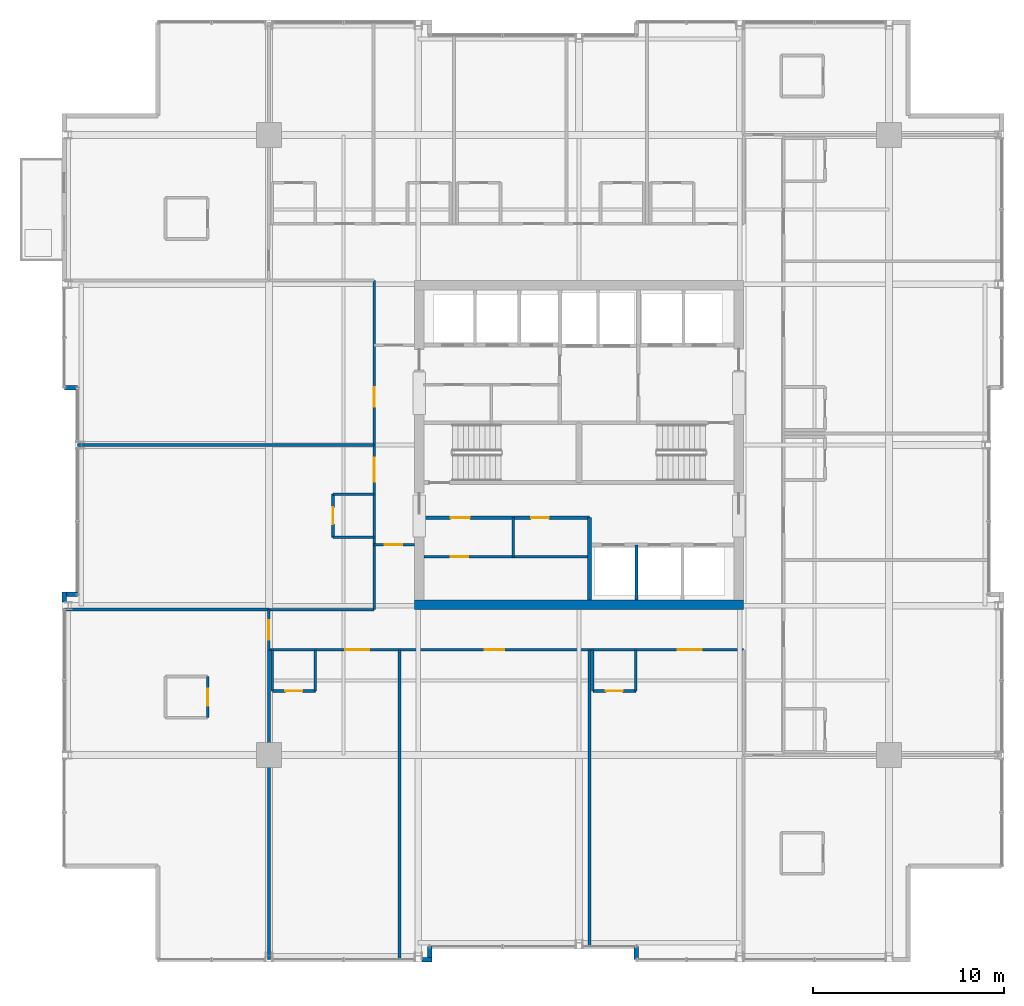
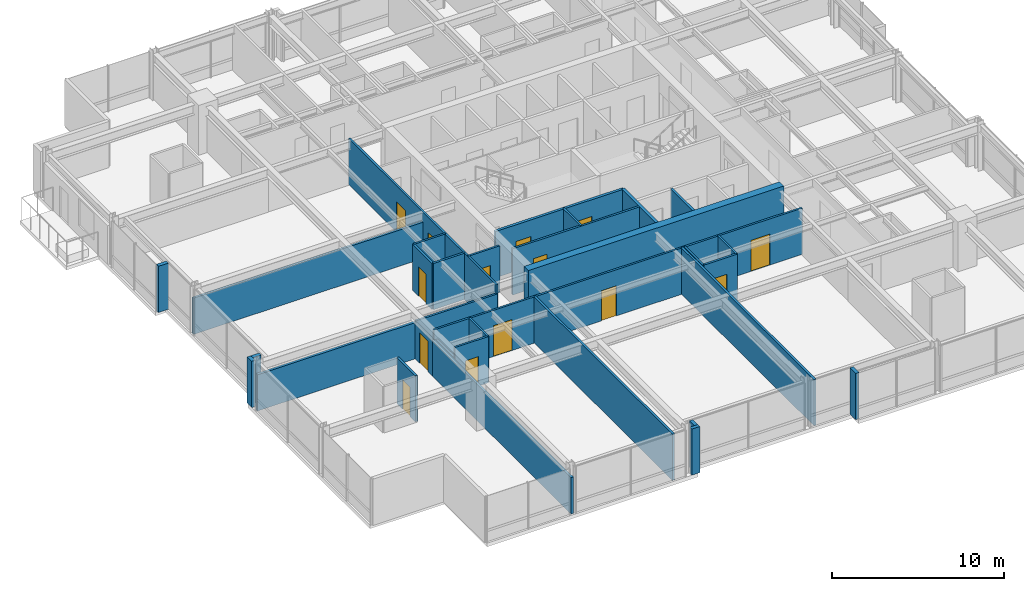
# One storey, part 25 of 31: 32 walls, 14 doors, 14 openings.
"""IFC4 building model written with IfcOpenShell, lengths in metres."""

from ifc_helpers import new_model, si_unit, direction, frame, frame_2d, origin, place, context, subcontext, project, spatial, rectangle, extrude, material, layer, layer_set, type_object, element, fill, save


model = new_model("IFC4")

# Units and contexts
model_context = context("Model", 3, precision=1e-05, world=origin(), true_north=direction((0.0, 1.0)))
body_context = subcontext(model_context, "Body", "Model", "MODEL_VIEW")
ifc_project = project(units=[si_unit("LENGTHUNIT", "METRE"), si_unit("AREAUNIT", "SQUARE_METRE"), si_unit("VOLUMEUNIT", "CUBIC_METRE"), si_unit("PLANEANGLEUNIT", "RADIAN"), si_unit("MASSUNIT", "GRAM", prefix="KILO")], contexts=[model_context])

# Site, building, storey
site_placement = place(None, origin())
site = spatial("IfcSite", under=ifc_project, at=site_placement, CompositionType="ELEMENT")
building_placement = place(site_placement, origin())
building = spatial("IfcBuilding", under=site, at=building_placement, Name="Drelvath Grand Hotel", CompositionType="ELEMENT")
storey_placement = place(building_placement, frame((0.0, 0.0, 185.89990234375)))
storey = spatial("IfcBuildingStorey", under=building, at=storey_placement, Name="L48", CompositionType="ELEMENT", Elevation=185.89990234375)

# Walls
ifc_material_1 = material(Name="Concrete C40/50", Category="concrete")
ifc_layer_1 = layer(ifc_material_1, 0.199951171875)
ifc_layer_set_1 = layer_set([ifc_layer_1], Name="Concrete C40/50")
wall_type_1 = type_object("IfcWallType", Name="Core Hoistway Fire Wall 200", PredefinedType="SOLIDWALL", material=ifc_layer_set_1)
wall_1_placement = place(storey_placement, frame((0.550048828125, 18.89990234375, 0.0), z_axis=(0.0, 0.0, 1.0), x_axis=(0.0, 1.0, 0.0)))
element("IfcWall", 1, at=wall_1_placement, inside=storey, type_object=wall_type_1, Name="L48 Bank 2 West Wall", PredefinedType="SOLIDWALL", context=body_context, shape_type="SweptSolid", body=[
    extrude(rectangle(XDim=4.300048828125, YDim=0.199951171875, at=frame_2d((2.14990234375, 0.0))), origin(), (0.0, 0.0, 1.0), 3.2900390625),
])
ifc_material_2 = material(Name="Gypsum Fireboard Partition")
ifc_layer_2 = layer(ifc_material_2, 0.1650390625)
ifc_layer_set_2 = layer_set([ifc_layer_2], Name="Gypsum Fireboard Partition")
wall_type_2 = type_object("IfcWallType", Name="Core Shaft Partition 165", PredefinedType="PARTITIONING", material=ifc_layer_set_2)
wall_2_placement = place(storey_placement, frame((3.0, 18.89990234375, 0.0), z_axis=(0.0, 0.0, 1.0), x_axis=(0.0, 1.0, 0.0)))
element("IfcWall", 2, at=wall_2_placement, inside=storey, type_object=wall_type_2, Name="L48 Lift PE-4/5 Divider", PredefinedType="PARTITIONING", context=body_context, shape_type="SweptSolid", body=[
    extrude(rectangle(XDim=2.880126953125, YDim=0.1650390625, at=frame_2d((1.43994140625, 0.0))), origin(), (0.0, 0.0, 1.0), 3.2900390625),
])

# Wall, opening, door
ifc_layer_3 = layer(ifc_material_2, 0.135009765625)
ifc_layer_set_3 = layer_set([ifc_layer_3], Name="Gypsum Fireboard Partition")
wall_type_3 = type_object("IfcWallType", Name="Corridor Fire Barrier Wall 135", PredefinedType="PARTITIONING", material=ifc_layer_set_3)
wall_3_placement = place(storey_placement, frame((-10.699951171875, 21.800048828125, 0.0), z_axis=(0.0, 0.0, 1.0), x_axis=(1.0, 0.0, 0.0)))
wall_3 = element("IfcWall", 3, at=wall_3_placement, inside=storey, type_object=wall_type_3, Name="L48 West Foyer South Wall", PredefinedType="PARTITIONING", context=body_context, shape_type="SweptSolid", body=[
    extrude(rectangle(XDim=2.099853515625, YDim=0.135009765625, at=frame_2d((1.0498046875, 0.0))), origin(), (0.0, 0.0, 1.0), 3.2900390625),
])
opening_1_placement = place(wall_3_placement, frame((0.550048828125, 0.0, 0.0)))
opening_1 = element("IfcOpeningElement", 4, at=opening_1_placement, cuts=wall_3, Name="Opening D-T3G4-024", PredefinedType="OPENING", context=body_context, shape_type="SweptSolid", body=[
    extrude(rectangle(XDim=0.919921875, YDim=2.10009765625, at=frame_2d((0.4599609375, 1.050048828125))), frame((0.0, 0.077392578125, 0.0), z_axis=(0.0, -1.0, 0.0), x_axis=(1.0, 0.0, 0.0)), (0.0, 0.0, 1.0), 0.155029296875),
])
ifc_material_3 = material(Name="Painted Steel S275", Category="steel")
door_type_1 = type_object("IfcDoorType", Name="Staff Utility Door 920x2100", OperationType="NOTDEFINED", PredefinedType="DOOR", material=ifc_material_3)
door_1_placement = place(opening_1_placement, origin())
door_1 = element("IfcDoor", 5, at=door_1_placement, inside=storey, type_object=door_type_1, Name="L48 West Linen Closet Door", OperationType="SINGLE_SWING_RIGHT", OverallHeight=2.10009765625, OverallWidth=0.919921875, PredefinedType="DOOR", context=body_context, shape_type="SweptSolid", body=[
    extrude(rectangle(XDim=0.919921875, YDim=2.10009765625, at=frame_2d((0.4599609375, 1.050048828125))), frame((0.0, 0.02490234375, 0.0), z_axis=(0.0, -1.0, 0.0), x_axis=(1.0, 0.0, 0.0)), (0.0, 0.0, 1.0), 0.050048828125),
])
fill(opening_1, door_1)

# Wall
wall_4_placement = place(storey_placement, frame((-16.199951171875, 18.39990234375, 0.0), z_axis=(0.0, 0.0, 1.0), x_axis=(1.0, 0.0, 0.0)))
element("IfcWall", 6, at=wall_4_placement, inside=storey, type_object=wall_type_3, Name="L48 SW Stub North Wall", PredefinedType="PARTITIONING", context=body_context, shape_type="SweptSolid", body=[
    extrude(rectangle(XDim=5.5, YDim=0.135009765625, at=frame_2d((2.75, 0.0))), origin(), (0.0, 0.0, 1.0), 2.66748046875),
])

# Wall, openings, doors
wall_5_placement = place(storey_placement, frame((-16.199951171875, 16.300048828125, 0.0), z_axis=(0.0, 0.0, 1.0), x_axis=(1.0, 0.0, 0.0)))
wall_5 = element("IfcWall", 7, at=wall_5_placement, inside=storey, type_object=wall_type_3, Name="L48 South Stub Corridor Wall", PredefinedType="PARTITIONING", context=body_context, shape_type="SweptSolid", body=[
    extrude(rectangle(XDim=24.800048828125, YDim=0.135009765625, at=frame_2d((12.39990234375, 0.0))), origin(), (0.0, 0.0, 1.0), 3.2900390625),
])
opening_2_placement = place(wall_5_placement, frame((3.9951171875, 0.0, 0.0)))
opening_2 = element("IfcOpeningElement", 8, at=opening_2_placement, cuts=wall_5, Name="Opening D-T3G4-035", PredefinedType="OPENING", context=body_context, shape_type="SweptSolid", body=[
    extrude(rectangle(XDim=1.260009765625, YDim=2.199951171875, at=frame_2d((0.6298828125, 1.10009765625))), frame((0.0, 0.077392578125, 0.0), z_axis=(0.0, -1.0, 0.0), x_axis=(1.0, 0.0, 0.0)), (0.0, 0.0, 1.0), 0.155029296875),
])
opening_3_placement = place(wall_5_placement, frame((11.27001953125, 0.0, 0.0)))
opening_3 = element("IfcOpeningElement", 9, at=opening_3_placement, cuts=wall_5, Name="Opening D-T3G4-036", PredefinedType="OPENING", context=body_context, shape_type="SweptSolid", body=[
    extrude(rectangle(XDim=1.02001953125, YDim=2.14990234375, at=frame_2d((0.510009765625, 1.074951171875))), frame((0.0, 0.077392578125, 0.0), z_axis=(0.0, -1.0, 0.0), x_axis=(1.0, 0.0, 0.0)), (0.0, 0.0, 1.0), 0.155029296875),
])
opening_4_placement = place(wall_5_placement, frame((21.35498046875, 0.0, 0.0)))
opening_4 = element("IfcOpeningElement", 10, at=opening_4_placement, cuts=wall_5, Name="Opening D-T3G4-038", PredefinedType="OPENING", context=body_context, shape_type="SweptSolid", body=[
    extrude(rectangle(XDim=1.260009765625, YDim=2.199951171875, at=frame_2d((0.6298828125, 1.10009765625))), frame((0.0, 0.077392578125, 0.0), z_axis=(0.0, -1.0, 0.0), x_axis=(1.0, 0.0, 0.0)), (0.0, 0.0, 1.0), 0.155029296875),
])
ifc_material_4 = material(Name="Hardwood Walnut Timber", Category="wood")
door_type_2 = type_object("IfcDoorType", Name="Amenity Meeting Fire Door 1020x2150", OperationType="NOTDEFINED", PredefinedType="DOOR", material=ifc_material_4)
door_2_placement = place(opening_3_placement, origin())
door_2 = element("IfcDoor", 11, at=door_2_placement, inside=storey, type_object=door_type_2, Name="L48 Conference Room Entry Door", OperationType="SINGLE_SWING_RIGHT", OverallHeight=2.14990234375, OverallWidth=1.02001953125, PredefinedType="DOOR", context=body_context, shape_type="SweptSolid", body=[
    extrude(rectangle(XDim=1.02001953125, YDim=2.14990234375, at=frame_2d((0.510009765625, 1.074951171875))), frame((0.0, 0.02490234375, 0.0), z_axis=(0.0, -1.0, 0.0), x_axis=(1.0, 0.0, 0.0)), (0.0, 0.0, 1.0), 0.050048828125),
])
fill(opening_3, door_2)
door_type_3 = type_object("IfcDoorType", Name="Suite Entrance Fire Door 1260x2200", OperationType="NOTDEFINED", PredefinedType="DOOR", material=ifc_material_4)
door_3_placement = place(opening_2_placement, origin())
door_3 = element("IfcDoor", 12, at=door_3_placement, inside=storey, type_object=door_type_3, Name="L48 Executive Suite Entry Door", OperationType="SINGLE_SWING_LEFT", OverallHeight=2.199951171875, OverallWidth=1.260009765625, PredefinedType="DOOR", context=body_context, shape_type="SweptSolid", body=[
    extrude(rectangle(XDim=1.260009765625, YDim=2.199951171875, at=frame_2d((0.6298828125, 1.10009765625))), frame((0.0, 0.02490234375, 0.0), z_axis=(0.0, -1.0, 0.0), x_axis=(1.0, 0.0, 0.0)), (0.0, 0.0, 1.0), 0.050048828125),
])
fill(opening_2, door_3)
door_4_placement = place(opening_4_placement, origin())
door_4 = element("IfcDoor", 13, at=door_4_placement, inside=storey, type_object=door_type_3, Name="L48 Executive Suite Entry Door", OperationType="SINGLE_SWING_RIGHT", OverallHeight=2.199951171875, OverallWidth=1.260009765625, PredefinedType="DOOR", context=body_context, shape_type="SweptSolid", body=[
    extrude(rectangle(XDim=1.260009765625, YDim=2.199951171875, at=frame_2d((0.6298828125, 1.10009765625))), frame((0.0, 0.02490234375, 0.0), z_axis=(0.0, -1.0, 0.0), x_axis=(1.0, 0.0, 0.0)), (0.0, 0.0, 1.0), 0.050048828125),
])
fill(opening_4, door_4)

wall_6_placement = place(storey_placement, frame((-10.699951171875, 18.39990234375, 0.0), z_axis=(0.0, 0.0, 1.0), x_axis=(0.0, 1.0, 0.0)))
wall_6 = element("IfcWall", 14, at=wall_6_placement, inside=storey, type_object=wall_type_3, Name="L48 West Spine Wall", PredefinedType="PARTITIONING", context=body_context, shape_type="SweptSolid", body=[
    extrude(rectangle(XDim=17.2001953125, YDim=0.135009765625, at=frame_2d((8.60009765625, 0.0))), origin(), (0.0, 0.0, 1.0), 3.2900390625),
])
opening_5_placement = place(wall_6_placement, frame((6.68505859375, 0.0, 0.0)))
opening_5 = element("IfcOpeningElement", 15, at=opening_5_placement, cuts=wall_6, Name="Opening D-T3G4-058", PredefinedType="OPENING", context=body_context, shape_type="SweptSolid", body=[
    extrude(rectangle(XDim=1.260009765625, YDim=2.199951171875, at=frame_2d((0.6298828125, 1.10009765625))), frame((0.0, 0.077392578125, 0.0), z_axis=(0.0, -1.0, 0.0), x_axis=(1.0, 0.0, 0.0)), (0.0, 0.0, 1.0), 0.155029296875),
])
opening_6_placement = place(wall_6_placement, frame((10.590087890625, 0.0, 0.0)))
opening_6 = element("IfcOpeningElement", 16, at=opening_6_placement, cuts=wall_6, Name="Opening D-T3G4-059", PredefinedType="OPENING", context=body_context, shape_type="SweptSolid", body=[
    extrude(rectangle(XDim=1.02001953125, YDim=2.14990234375, at=frame_2d((0.510009765625, 1.074951171875))), frame((0.0, 0.077392578125, 0.0), z_axis=(0.0, -1.0, 0.0), x_axis=(1.0, 0.0, 0.0)), (0.0, 0.0, 1.0), 0.155029296875),
])
door_5_placement = place(opening_6_placement, origin())
door_5 = element("IfcDoor", 17, at=door_5_placement, inside=storey, type_object=door_type_2, Name="L48 Fitness Movement Studio Entry Door", OperationType="SINGLE_SWING_LEFT", OverallHeight=2.14990234375, OverallWidth=1.02001953125, PredefinedType="DOOR", context=body_context, shape_type="SweptSolid", body=[
    extrude(rectangle(XDim=1.02001953125, YDim=2.14990234375, at=frame_2d((0.510009765625, 1.074951171875))), frame((0.0, 0.02490234375, 0.0), z_axis=(0.0, -1.0, 0.0), x_axis=(1.0, 0.0, 0.0)), (0.0, 0.0, 1.0), 0.050048828125),
])
fill(opening_6, door_5)
door_6_placement = place(opening_5_placement, origin())
door_6 = element("IfcDoor", 18, at=door_6_placement, inside=storey, type_object=door_type_3, Name="L48 Executive Suite Entry Door", OperationType="SINGLE_SWING_RIGHT", OverallHeight=2.199951171875, OverallWidth=1.260009765625, PredefinedType="DOOR", context=body_context, shape_type="SweptSolid", body=[
    extrude(rectangle(XDim=1.260009765625, YDim=2.199951171875, at=frame_2d((0.6298828125, 1.10009765625))), frame((0.0, 0.02490234375, 0.0), z_axis=(0.0, -1.0, 0.0), x_axis=(1.0, 0.0, 0.0)), (0.0, 0.0, 1.0), 0.050048828125),
])
fill(opening_5, door_6)

# Wall, opening, door
wall_7_placement = place(storey_placement, frame((-16.199951171875, 16.300048828125, 0.0), z_axis=(0.0, 0.0, 1.0), x_axis=(0.0, 1.0, 0.0)))
wall_7 = element("IfcWall", 19, at=wall_7_placement, inside=storey, type_object=wall_type_3, Name="L48 South Stub West End", PredefinedType="PARTITIONING", context=body_context, shape_type="SweptSolid", body=[
    extrude(rectangle(XDim=2.099853515625, YDim=0.135009765625, at=frame_2d((1.0498046875, 0.0))), origin(), (0.0, 0.0, 1.0), 2.57958984375),
])
opening_7_placement = place(wall_7_placement, frame((0.52001953125, 0.0, 0.0)))
opening_7 = element("IfcOpeningElement", 20, at=opening_7_placement, cuts=wall_7, Name="Opening D-T3G4-027", PredefinedType="OPENING", context=body_context, shape_type="SweptSolid", body=[
    extrude(rectangle(XDim=1.02001953125, YDim=2.14990234375, at=frame_2d((0.510009765625, 1.074951171875))), frame((0.0, 0.077392578125, 0.0), z_axis=(0.0, -1.0, 0.0), x_axis=(1.0, 0.0, 0.0)), (0.0, 0.0, 1.0), 0.155029296875),
])
door_7_placement = place(opening_7_placement, origin())
door_7 = element("IfcDoor", 21, at=door_7_placement, inside=storey, type_object=door_type_2, Name="L48 Executive Suite Entry Door", OperationType="SINGLE_SWING_LEFT", OverallHeight=2.14990234375, OverallWidth=1.02001953125, PredefinedType="DOOR", context=body_context, shape_type="SweptSolid", body=[
    extrude(rectangle(XDim=1.02001953125, YDim=2.14990234375, at=frame_2d((0.510009765625, 1.074951171875))), frame((0.0, 0.02490234375, 0.0), z_axis=(0.0, -1.0, 0.0), x_axis=(1.0, 0.0, 0.0)), (0.0, 0.0, 1.0), 0.050048828125),
])
fill(opening_7, door_7)

ifc_material_5 = material(Name="Moisture-Resistant Gypsum Board")
ifc_layer_4 = layer(ifc_material_5, 0.139892578125)
ifc_layer_set_4 = layer_set([ifc_layer_4], Name="Moisture-Resistant Gypsum Board")
wall_type_4 = type_object("IfcWallType", Name="En-Suite Plumbing Wall 140", PredefinedType="PLUMBINGWALL", material=ifc_layer_set_4)
wall_8_placement = place(storey_placement, frame((-8.10009765625, 21.159912109375, 0.0), z_axis=(0.0, 0.0, 1.0), x_axis=(1.0, 0.0, 0.0)))
wall_8 = element("IfcWall", 22, at=wall_8_placement, inside=storey, type_object=wall_type_4, Name="L48 Reclaimed Horizontal Wall", PredefinedType="PLUMBINGWALL", context=body_context, shape_type="SweptSolid", body=[
    extrude(rectangle(XDim=8.650146484375, YDim=0.139892578125, at=frame_2d((4.3251953125, 0.0))), origin(), (0.0, 0.0, 1.0), 3.2900390625),
])
opening_8_placement = place(wall_8_placement, frame((1.39990234375, 0.0, 0.0)))
opening_8 = element("IfcOpeningElement", 23, at=opening_8_placement, cuts=wall_8, Name="Opening D-T3G4-023", PredefinedType="OPENING", context=body_context, shape_type="SweptSolid", body=[
    extrude(rectangle(XDim=0.919921875, YDim=2.10009765625, at=frame_2d((0.4599609375, 1.050048828125))), frame((0.0, 0.079833984375, 0.0), z_axis=(0.0, -1.0, 0.0), x_axis=(1.0, 0.0, 0.0)), (0.0, 0.0, 1.0), 0.159912109375),
])
door_8_placement = place(opening_8_placement, origin())
door_8 = element("IfcDoor", 24, at=door_8_placement, inside=storey, type_object=door_type_1, Name="L48 Housekeeping Inner Door", OperationType="SINGLE_SWING_LEFT", OverallHeight=2.10009765625, OverallWidth=0.919921875, PredefinedType="DOOR", context=body_context, shape_type="SweptSolid", body=[
    extrude(rectangle(XDim=0.919921875, YDim=2.10009765625, at=frame_2d((0.4599609375, 1.050048828125))), frame((0.0, 0.02490234375, 0.0), z_axis=(0.0, -1.0, 0.0), x_axis=(1.0, 0.0, 0.0)), (0.0, 0.0, 1.0), 0.050048828125),
])
fill(opening_8, door_8)

# Wall
wall_9_placement = place(storey_placement, frame((-3.43994140625, 21.159912109375, 0.0), z_axis=(0.0, 0.0, 1.0), x_axis=(0.0, 1.0, 0.0)))
element("IfcWall", 25, at=wall_9_placement, inside=storey, type_object=wall_type_4, Name="L48 Staff WC Wall", PredefinedType="PLUMBINGWALL", context=body_context, shape_type="SweptSolid", body=[
    extrude(rectangle(XDim=2.0400390625, YDim=0.139892578125, at=frame_2d((1.02001953125, 0.0))), origin(), (0.0, 0.0, 1.0), 3.2900390625),
])

# Wall, opening, door
wall_10_placement = place(storey_placement, frame((-19.39990234375, 12.760009765625, 0.0), z_axis=(0.0, 0.0, 1.0), x_axis=(0.0, 1.0, 0.0)))
wall_10 = element("IfcWall", 26, at=wall_10_placement, inside=storey, type_object=wall_type_4, Name="L48 Corner En-Suite East", PredefinedType="PLUMBINGWALL", context=body_context, shape_type="SweptSolid", body=[
    extrude(rectangle(XDim=2.14990234375, YDim=0.139892578125, at=frame_2d((1.074951171875, 0.0))), origin(), (0.0, 0.0, 1.0), 3.2900390625),
])
opening_9_placement = place(wall_10_placement, frame((0.6201171875, 0.0, 0.0)))
opening_9 = element("IfcOpeningElement", 27, at=opening_9_placement, cuts=wall_10, Name="Opening D-T3G4-026", PredefinedType="OPENING", context=body_context, shape_type="SweptSolid", body=[
    extrude(rectangle(XDim=0.8798828125, YDim=2.10009765625, at=frame_2d((0.43994140625, 1.050048828125))), frame((0.0, 0.079833984375, 0.0), z_axis=(0.0, -1.0, 0.0), x_axis=(1.0, 0.0, 0.0)), (0.0, 0.0, 1.0), 0.159912109375),
])
door_type_4 = type_object("IfcDoorType", Name="En-Suite Bathroom Door 880x2100", OperationType="NOTDEFINED", PredefinedType="DOOR", material=ifc_material_4)
door_9_placement = place(opening_9_placement, origin())
door_9 = element("IfcDoor", 28, at=door_9_placement, inside=storey, type_object=door_type_4, Name="L48 Corner En-Suite Door", OperationType="SINGLE_SWING_RIGHT", OverallHeight=2.10009765625, OverallWidth=0.8798828125, PredefinedType="DOOR", context=body_context, shape_type="SweptSolid", body=[
    extrude(rectangle(XDim=0.8798828125, YDim=2.10009765625, at=frame_2d((0.43994140625, 1.050048828125))), frame((0.0, 0.02490234375, 0.0), z_axis=(0.0, -1.0, 0.0), x_axis=(1.0, 0.0, 0.0)), (0.0, 0.0, 1.0), 0.050048828125),
])
fill(opening_9, door_9)

# Walls
wall_11_placement = place(storey_placement, frame((-16.02001953125, 16.300048828125, 0.0), z_axis=(0.0, 0.0, 1.0), x_axis=(0.0, -1.0, 0.0)))
element("IfcWall", 29, at=wall_11_placement, inside=storey, type_object=wall_type_4, Name="L48 En-Suite Left Wall", PredefinedType="PLUMBINGWALL", context=body_context, shape_type="SweptSolid", body=[
    extrude(rectangle(XDim=2.150146484375, YDim=0.139892578125, at=frame_2d((1.0751953125, 0.0))), origin(), (0.0, 0.0, 1.0), 2.57958984375),
])
wall_12_placement = place(storey_placement, frame((-13.77001953125, 16.300048828125, 0.0), z_axis=(0.0, 0.0, 1.0), x_axis=(0.0, -1.0, 0.0)))
element("IfcWall", 30, at=wall_12_placement, inside=storey, type_object=wall_type_4, Name="L48 En-Suite Right Wall", PredefinedType="PLUMBINGWALL", context=body_context, shape_type="SweptSolid", body=[
    extrude(rectangle(XDim=2.150146484375, YDim=0.139892578125, at=frame_2d((1.0751953125, 0.0))), origin(), (0.0, 0.0, 1.0), 3.2900390625),
])

# Wall, opening, door
wall_13_placement = place(storey_placement, frame((-16.02001953125, 14.14990234375, 0.0), z_axis=(0.0, 0.0, 1.0), x_axis=(1.0, 0.0, 0.0)))
wall_13 = element("IfcWall", 31, at=wall_13_placement, inside=storey, type_object=wall_type_4, Name="L48 En-Suite Front Wall", PredefinedType="PLUMBINGWALL", context=body_context, shape_type="SweptSolid", body=[
    extrude(rectangle(XDim=2.25, YDim=0.139892578125, at=frame_2d((1.125, 0.0))), origin(), (0.0, 0.0, 1.0), 3.2900390625),
])
opening_10_placement = place(wall_13_placement, frame((0.68505859375, 0.0, 0.0)))
opening_10 = element("IfcOpeningElement", 32, at=opening_10_placement, cuts=wall_13, Name="Opening D-T3G4-034", PredefinedType="OPENING", context=body_context, shape_type="SweptSolid", body=[
    extrude(rectangle(XDim=0.8798828125, YDim=2.10009765625, at=frame_2d((0.43994140625, 1.050048828125))), frame((0.0, 0.079833984375, 0.0), z_axis=(0.0, -1.0, 0.0), x_axis=(1.0, 0.0, 0.0)), (0.0, 0.0, 1.0), 0.159912109375),
])
door_10_placement = place(opening_10_placement, origin())
door_10 = element("IfcDoor", 33, at=door_10_placement, inside=storey, type_object=door_type_4, Name="L48 En-Suite Bathroom Door", OperationType="SINGLE_SWING_RIGHT", OverallHeight=2.10009765625, OverallWidth=0.8798828125, PredefinedType="DOOR", context=body_context, shape_type="SweptSolid", body=[
    extrude(rectangle(XDim=0.8798828125, YDim=2.10009765625, at=frame_2d((0.43994140625, 1.050048828125))), frame((0.0, 0.02490234375, 0.0), z_axis=(0.0, -1.0, 0.0), x_axis=(1.0, 0.0, 0.0)), (0.0, 0.0, 1.0), 0.050048828125),
])
fill(opening_10, door_10)

# Walls
for number, where, z_axis, x_axis, name in (
    (34, (0.719970703125, 16.300048828125, 0.0), (0.0, 0.0, 1.0), (0.0, -1.0, 0.0), "L48 En-Suite Left Wall"),
    (35, (2.969970703125, 16.300048828125, 0.0), (0.0, 0.0, 1.0), (0.0, -1.0, 0.0), "L48 En-Suite Right Wall"),
):
    element("IfcWall", number, at=place(storey_placement, frame(where, z_axis=z_axis, x_axis=x_axis)), inside=storey, type_object=wall_type_4, Name=name, PredefinedType="PLUMBINGWALL", context=body_context, shape_type="SweptSolid", body=[
        extrude(rectangle(XDim=2.150146484375, YDim=0.139892578125, at=frame_2d((1.0751953125, 0.0))), origin(), (0.0, 0.0, 1.0), 3.2900390625),
    ])

# Wall, opening, door
wall_14_placement = place(storey_placement, frame((0.719970703125, 14.14990234375, 0.0), z_axis=(0.0, 0.0, 1.0), x_axis=(1.0, 0.0, 0.0)))
wall_14 = element("IfcWall", 36, at=wall_14_placement, inside=storey, type_object=wall_type_4, Name="L48 En-Suite Front Wall", PredefinedType="PLUMBINGWALL", context=body_context, shape_type="SweptSolid", body=[
    extrude(rectangle(XDim=2.25, YDim=0.139892578125, at=frame_2d((1.125, 0.0))), origin(), (0.0, 0.0, 1.0), 3.2900390625),
])
opening_11_placement = place(wall_14_placement, frame((0.68505859375, 0.0, 0.0)))
opening_11 = element("IfcOpeningElement", 37, at=opening_11_placement, cuts=wall_14, Name="Opening D-T3G4-037", PredefinedType="OPENING", context=body_context, shape_type="SweptSolid", body=[
    extrude(rectangle(XDim=0.8798828125, YDim=2.10009765625, at=frame_2d((0.43994140625, 1.050048828125))), frame((0.0, 0.079833984375, 0.0), z_axis=(0.0, -1.0, 0.0), x_axis=(1.0, 0.0, 0.0)), (0.0, 0.0, 1.0), 0.159912109375),
])
door_11_placement = place(opening_11_placement, origin())
door_11 = element("IfcDoor", 38, at=door_11_placement, inside=storey, type_object=door_type_4, Name="L48 En-Suite Bathroom Door", OperationType="SINGLE_SWING_LEFT", OverallHeight=2.10009765625, OverallWidth=0.8798828125, PredefinedType="DOOR", context=body_context, shape_type="SweptSolid", body=[
    extrude(rectangle(XDim=0.8798828125, YDim=2.10009765625, at=frame_2d((0.43994140625, 1.050048828125))), frame((0.0, 0.02490234375, 0.0), z_axis=(0.0, -1.0, 0.0), x_axis=(1.0, 0.0, 0.0)), (0.0, 0.0, 1.0), 0.050048828125),
])
fill(opening_11, door_11)

# Walls
for number, where, z_axis, x_axis, name in (
    (39, (-10.699951171875, 22.179931640625, 0.0), (0.0, 0.0, 1.0), (-1.0, 0.0, 0.0), "L48 En-Suite Left Wall"),
    (40, (-10.699951171875, 24.429931640625, 0.0), (0.0, 0.0, 1.0), (-1.0, 0.0, 0.0), "L48 En-Suite Right Wall"),
):
    element("IfcWall", number, at=place(storey_placement, frame(where, z_axis=z_axis, x_axis=x_axis)), inside=storey, type_object=wall_type_4, Name=name, PredefinedType="PLUMBINGWALL", context=body_context, shape_type="SweptSolid", body=[
        extrude(rectangle(XDim=2.150146484375, YDim=0.139892578125, at=frame_2d((1.0751953125, 0.0))), origin(), (0.0, 0.0, 1.0), 3.2900390625),
    ])

# Wall, opening, door
wall_15_placement = place(storey_placement, frame((-12.85009765625, 22.179931640625, 0.0), z_axis=(0.0, 0.0, 1.0), x_axis=(0.0, 1.0, 0.0)))
wall_15 = element("IfcWall", 41, at=wall_15_placement, inside=storey, type_object=wall_type_4, Name="L48 En-Suite Front Wall", PredefinedType="PLUMBINGWALL", context=body_context, shape_type="SweptSolid", body=[
    extrude(rectangle(XDim=2.25, YDim=0.139892578125, at=frame_2d((1.125, 0.0))), origin(), (0.0, 0.0, 1.0), 3.2900390625),
])
opening_12_placement = place(wall_15_placement, frame((0.68505859375, 0.0, 0.0)))
opening_12 = element("IfcOpeningElement", 42, at=opening_12_placement, cuts=wall_15, Name="Opening D-T3G4-057", PredefinedType="OPENING", context=body_context, shape_type="SweptSolid", body=[
    extrude(rectangle(XDim=0.8798828125, YDim=2.10009765625, at=frame_2d((0.43994140625, 1.050048828125))), frame((0.0, 0.079833984375, 0.0), z_axis=(0.0, -1.0, 0.0), x_axis=(1.0, 0.0, 0.0)), (0.0, 0.0, 1.0), 0.159912109375),
])
door_12_placement = place(opening_12_placement, origin())
door_12 = element("IfcDoor", 43, at=door_12_placement, inside=storey, type_object=door_type_4, Name="L48 En-Suite Bathroom Door", OperationType="SINGLE_SWING_LEFT", OverallHeight=2.10009765625, OverallWidth=0.8798828125, PredefinedType="DOOR", context=body_context, shape_type="SweptSolid", body=[
    extrude(rectangle(XDim=0.8798828125, YDim=2.10009765625, at=frame_2d((0.43994140625, 1.050048828125))), frame((0.0, 0.02490234375, 0.0), z_axis=(0.0, -1.0, 0.0), x_axis=(1.0, 0.0, 0.0)), (0.0, 0.0, 1.0), 0.050048828125),
])
fill(opening_12, door_12)

# Wall, openings, doors
ifc_layer_5 = layer(ifc_material_2, 0.179931640625)
ifc_layer_set_5 = layer_set([ifc_layer_5], Name="Gypsum Fireboard Partition")
wall_type_5 = type_object("IfcWallType", Name="FSAE Smoke Lobby Fire Wall 180", PredefinedType="SOLIDWALL", material=ifc_layer_set_5)
wall_16_placement = place(storey_placement, frame((-8.10009765625, 23.199951171875, 0.0), z_axis=(0.0, 0.0, 1.0), x_axis=(1.0, 0.0, 0.0)))
wall_16 = element("IfcWall", 44, at=wall_16_placement, inside=storey, type_object=wall_type_5, Name="L48 Reclaimed Core Room Wall", PredefinedType="SOLIDWALL", context=body_context, shape_type="SweptSolid", body=[
    extrude(rectangle(XDim=8.650146484375, YDim=0.179931640625, at=frame_2d((4.3251953125, 0.0))), origin(), (0.0, 0.0, 1.0), 3.2900390625),
])
opening_13_placement = place(wall_16_placement, frame((1.39990234375, 0.0, 0.0)))
opening_13 = element("IfcOpeningElement", 45, at=opening_13_placement, cuts=wall_16, Name="Opening D-T3G4-021", PredefinedType="OPENING", context=body_context, shape_type="SweptSolid", body=[
    extrude(rectangle(XDim=1.0, YDim=2.10009765625, at=frame_2d((0.5, 1.050048828125))), frame((0.0, 0.099853515625, 0.0), z_axis=(0.0, -1.0, 0.0), x_axis=(1.0, 0.0, 0.0)), (0.0, 0.0, 1.0), 0.199951171875),
])
opening_14_placement = place(wall_16_placement, frame((5.60009765625, 0.0, 0.0)))
opening_14 = element("IfcOpeningElement", 46, at=opening_14_placement, cuts=wall_16, Name="Opening D-T3G4-022", PredefinedType="OPENING", context=body_context, shape_type="SweptSolid", body=[
    extrude(rectangle(XDim=0.919921875, YDim=2.10009765625, at=frame_2d((0.4599609375, 1.050048828125))), frame((0.0, 0.099853515625, 0.0), z_axis=(0.0, -1.0, 0.0), x_axis=(1.0, 0.0, 0.0)), (0.0, 0.0, 1.0), 0.199951171875),
])
door_type_5 = type_object("IfcDoorType", Name="Core Service Fire Door 1000x2100", OperationType="NOTDEFINED", PredefinedType="DOOR", material=ifc_material_3)
door_13_placement = place(opening_13_placement, origin())
door_13 = element("IfcDoor", 47, at=door_13_placement, inside=storey, type_object=door_type_5, Name="L48 Valet Room Door", OperationType="SINGLE_SWING_LEFT", OverallHeight=2.10009765625, OverallWidth=1.0, PredefinedType="DOOR", context=body_context, shape_type="SweptSolid", body=[
    extrude(rectangle(XDim=1.0, YDim=2.10009765625, at=frame_2d((0.5, 1.050048828125))), frame((0.0, 0.02490234375, 0.0), z_axis=(0.0, -1.0, 0.0), x_axis=(1.0, 0.0, 0.0)), (0.0, 0.0, 1.0), 0.050048828125),
])
fill(opening_13, door_13)
door_14_placement = place(opening_14_placement, origin())
door_14 = element("IfcDoor", 48, at=door_14_placement, inside=storey, type_object=door_type_5, Name="L48 Staff WC Door", OperationType="SINGLE_SWING_RIGHT", OverallHeight=2.10009765625, OverallWidth=0.919921875, PredefinedType="DOOR", context=body_context, shape_type="SweptSolid", body=[
    extrude(rectangle(XDim=0.919921875, YDim=2.10009765625, at=frame_2d((0.4599609375, 1.050048828125))), frame((0.0, 0.02490234375, 0.0), z_axis=(0.0, -1.0, 0.0), x_axis=(1.0, 0.0, 0.0)), (0.0, 0.0, 1.0), 0.050048828125),
])
fill(opening_14, door_14)

# Walls
ifc_material_6 = material(Name="Gypsum Acoustic Partition")
ifc_layer_6 = layer(ifc_material_6, 0.14990234375)
ifc_layer_set_6 = layer_set([ifc_layer_6], Name="Gypsum Acoustic Partition")
wall_type_6 = type_object("IfcWallType", Name="Guestroom Demising Wall 150", PredefinedType="PARTITIONING", material=ifc_layer_set_6)
wall_17_placement = place(storey_placement, frame((-9.3798828125, 0.1201171875, 0.0), z_axis=(0.0, 0.0, 1.0), x_axis=(0.0, 1.0, 0.0)))
element("IfcWall", 49, at=wall_17_placement, inside=storey, type_object=wall_type_6, Name="L48 South Demising 1", PredefinedType="PARTITIONING", context=body_context, shape_type="SweptSolid", body=[
    extrude(rectangle(XDim=16.179931640625, YDim=0.14990234375, at=frame_2d((8.08984375, 0.0))), origin(), (0.0, 0.0, 1.0), 3.2900390625),
])
wall_18_placement = place(storey_placement, frame((0.5400390625, 0.800048828125, 0.0), z_axis=(0.0, 0.0, 1.0), x_axis=(0.0, 1.0, 0.0)))
element("IfcWall", 50, at=wall_18_placement, inside=storey, type_object=wall_type_6, Name="L48 South Demising 2", PredefinedType="PARTITIONING", context=body_context, shape_type="SweptSolid", body=[
    extrude(rectangle(XDim=15.5, YDim=0.14990234375, at=frame_2d((7.75, 0.0))), origin(), (0.0, 0.0, 1.0), 3.2900390625),
])
wall_19_placement = place(storey_placement, frame((-26.199951171875, 27.0, 0.0), z_axis=(0.0, 0.0, 1.0), x_axis=(1.0, 0.0, 0.0)))
element("IfcWall", 51, at=wall_19_placement, inside=storey, type_object=wall_type_6, Name="L48 West Suite Demising Wall", PredefinedType="PARTITIONING", context=body_context, shape_type="SweptSolid", body=[
    extrude(rectangle(XDim=15.5, YDim=0.14990234375, at=frame_2d((7.75, 0.0))), origin(), (0.0, 0.0, 1.0), 2.57958984375),
])
ifc_layer_7 = layer(ifc_material_6, 0.1650390625)
ifc_layer_set_7 = layer_set([ifc_layer_7], Name="Gypsum Acoustic Partition")
wall_type_7 = type_object("IfcWallType", Name="Suite Demising Wall 165", PredefinedType="PARTITIONING", material=ifc_layer_set_7)
wall_20_placement = place(storey_placement, frame((-16.199951171875, 0.1201171875, 0.0), z_axis=(0.0, 0.0, 1.0), x_axis=(0.0, 1.0, 0.0)))
element("IfcWall", 52, at=wall_20_placement, inside=storey, type_object=wall_type_7, Name="L48 SW Suite East Wall", PredefinedType="PARTITIONING", context=body_context, shape_type="SweptSolid", body=[
    extrude(rectangle(XDim=16.179931640625, YDim=0.1650390625, at=frame_2d((8.08984375, 0.0))), origin(), (0.0, 0.0, 1.0), 2.57958984375),
])
wall_21_placement = place(storey_placement, frame((-26.8798828125, 18.39990234375, 0.0), z_axis=(0.0, 0.0, 1.0), x_axis=(1.0, 0.0, 0.0)))
element("IfcWall", 53, at=wall_21_placement, inside=storey, type_object=wall_type_7, Name="L48 SW Suite North Wall", PredefinedType="PARTITIONING", context=body_context, shape_type="SweptSolid", body=[
    extrude(rectangle(XDim=10.679931640625, YDim=0.1650390625, at=frame_2d((5.33984375, 0.0))), origin(), (0.0, 0.0, 1.0), 2.57958984375),
])
ifc_material_7 = material(Name="Pale-Metal Insulated Aluminium Spandrel Assembly", Category="aluminium")
ifc_layer_8 = layer(ifc_material_7, 0.239990234375)
ifc_layer_set_8 = layer_set([ifc_layer_8], Name="Pale-Metal Insulated Aluminium Spandrel Assembly")
wall_type_8 = type_object("IfcWallType", Name="Tower Insulated Metal Spandrel Closure Wall 240", PredefinedType="STANDARD", material=ifc_layer_set_8)
for number, where, z_axis, x_axis, name in (
    (54, (-26.8798828125, 18.791748046875, 0.0), (0.0, 0.0, 1.0), (0.0, 1.0, 0.0), "L48 Corner Pier Spandrel Wall WS3"),
    (55, (-7.679931640625, 0.1201171875, 0.0), (0.0, 0.0, 1.0), (-1.0, 0.0, 0.0), "L48 Corner Pier Spandrel Wall SW3"),
):
    element("IfcWall", number, at=place(storey_placement, frame(where, z_axis=z_axis, x_axis=x_axis)), inside=storey, type_object=wall_type_8, Name=name, PredefinedType="STANDARD", context=body_context, shape_type="SweptSolid", body=[
        extrude(rectangle(XDim=0.5283203125, YDim=0.239990234375, at=frame_2d((0.26416015625, 0.0))), origin(), (0.0, 0.0, 1.0), 3.2900390625),
    ])
wall_22_placement = place(storey_placement, frame((-26.760009765625, 19.199951171875, 0.0), z_axis=(0.0, 0.0, 1.0), x_axis=(1.0, 0.0, 0.0)))
element("IfcWall", 56, at=wall_22_placement, inside=storey, type_object=wall_type_8, Name="L48 Notched Corner Return Spandrel Wall RW1", PredefinedType="STANDARD", context=body_context, shape_type="SweptSolid", body=[
    extrude(rectangle(XDim=0.56005859375, YDim=0.239990234375, at=frame_2d((0.280029296875, 0.0))), origin(), (0.0, 0.0, 1.0), 3.2900390625),
])
for number, where, z_axis, x_axis, name in (
    (57, (-26.199951171875, 30.0, 0.0), (0.0, 0.0, 1.0), (-1.0, 0.0, 0.0), "L48 Notched Corner Return Spandrel Wall RW2"),
    (58, (3.0, 0.1201171875, 0.0), (0.0, 0.0, 1.0), (0.0, 1.0, 0.0), "L48 Notched Corner Return Spandrel Wall RS1"),
):
    element("IfcWall", number, at=place(storey_placement, frame(where, z_axis=z_axis, x_axis=x_axis)), inside=storey, type_object=wall_type_8, Name=name, PredefinedType="STANDARD", context=body_context, shape_type="SweptSolid", body=[
        extrude(rectangle(XDim=0.679931640625, YDim=0.239990234375, at=frame_2d((0.33984375, 0.0))), origin(), (0.0, 0.0, 1.0), 3.2900390625),
    ])
wall_23_placement = place(storey_placement, frame((-7.800048828125, 0.800048828125, 0.0), z_axis=(0.0, 0.0, 1.0), x_axis=(0.0, -1.0, 0.0)))
element("IfcWall", 59, at=wall_23_placement, inside=storey, type_object=wall_type_8, Name="L48 Notched Corner Return Spandrel Wall RS2", PredefinedType="STANDARD", context=body_context, shape_type="SweptSolid", body=[
    extrude(rectangle(XDim=0.56005859375, YDim=0.239990234375, at=frame_2d((0.280029296875, 0.0))), origin(), (0.0, 0.0, 1.0), 3.2900390625),
])
ifc_material_8 = material(Name="Concrete f'c 55 MPa", Category="concrete")
ifc_layer_9 = layer(ifc_material_8, 0.5)
ifc_layer_set_9 = layer_set([ifc_layer_9], Name="Concrete f'c 55 MPa")
wall_type_9 = type_object("IfcWallType", Name="Upper Core RC Shear Wall 500", PredefinedType="SHEAR", material=ifc_layer_set_9)
wall_24_placement = place(storey_placement, frame((8.60009765625, 18.64990234375, 0.0), z_axis=(0.0, 0.0, 1.0), x_axis=(-1.0, 0.0, 0.0)))
element("IfcWall", 60, at=wall_24_placement, inside=storey, type_object=wall_type_9, Name="L48 Central Core Shear Wall S", PredefinedType="SHEAR", context=body_context, shape_type="SweptSolid", body=[
    extrude(rectangle(XDim=17.2001953125, YDim=0.5, at=frame_2d((8.60009765625, 0.0))), origin(), (0.0, 0.0, 1.0), 3.550048828125),
])

save(model, "model.ifc")
